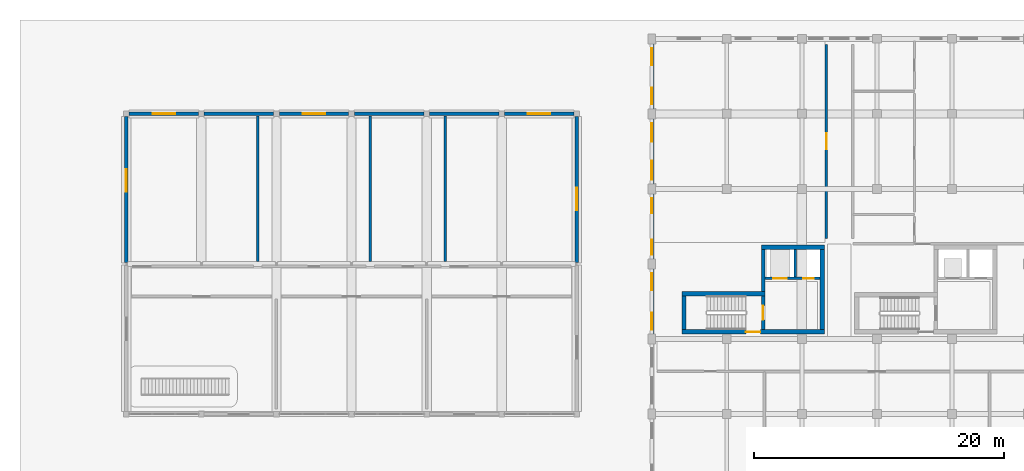
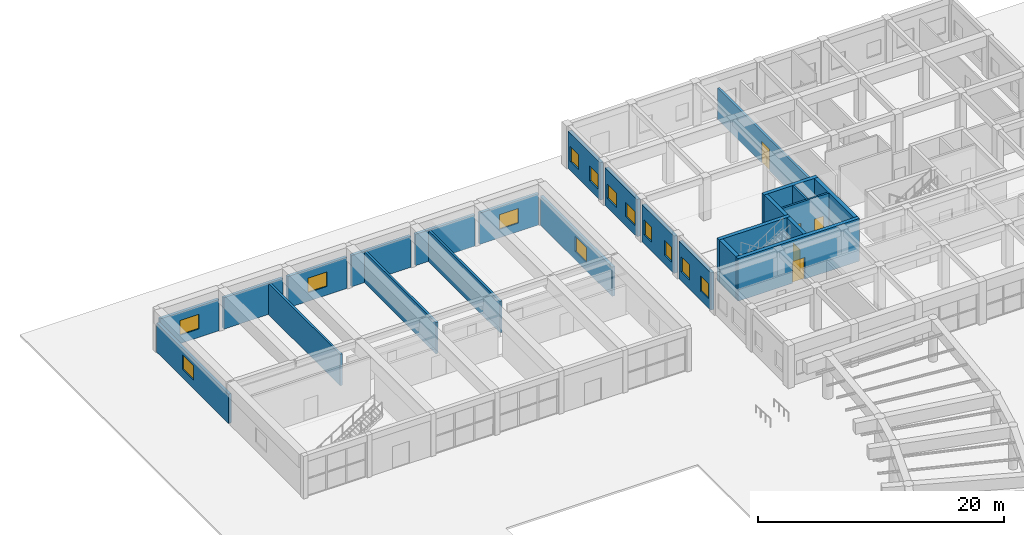
# One storey, part 55 of 76: 25 walls, 13 windows, 5 doors, 18 openings.
"""IFC4 building model written with IfcOpenShell, lengths in metres."""

from ifc_helpers import new_model, si_unit, direction, frame, frame_2d, origin, place, context, subcontext, project, spatial, rectangle, extrude, material, layer, layer_set, type_object, element, fill, save


model = new_model("IFC4")

# Units and contexts
model_context = context("Model", 3, precision=1e-05, world=origin(), true_north=direction((0.0, 1.0)))
body_context = subcontext(model_context, "Body", "Model", "MODEL_VIEW")
ifc_project = project(units=[si_unit("LENGTHUNIT", "METRE"), si_unit("AREAUNIT", "SQUARE_METRE"), si_unit("VOLUMEUNIT", "CUBIC_METRE"), si_unit("PLANEANGLEUNIT", "RADIAN"), si_unit("MASSUNIT", "GRAM", prefix="KILO"), si_unit("POWERUNIT", "WATT"), si_unit("THERMODYNAMICTEMPERATUREUNIT", "KELVIN")], contexts=[model_context])

# Site, building, storey
site_placement = place(None, origin())
site = spatial("IfcSite", under=ifc_project, at=site_placement, CompositionType="ELEMENT")
building_placement = place(site_placement, origin())
building = spatial("IfcBuilding", under=site, at=building_placement, Name="Ruvembo Vaulted Housing Court", CompositionType="ELEMENT")
storey_placement = place(building_placement, origin())
storey = spatial("IfcBuildingStorey", under=building, at=storey_placement, Name="L00", CompositionType="ELEMENT", Elevation=0.0)

# Wall, opening, door
ifc_material_1 = material(Name="Concrete C35/45", Category="concrete")
ifc_layer_1 = layer(ifc_material_1, 0.300048828125, Name="Concrete C35/45")
ifc_layer_set_1 = layer_set([ifc_layer_1], Name="Concrete C35/45")
wall_type_1 = type_object("IfcWallType", Name="WL-CORE-300", PredefinedType="SHEAR", material=ifc_layer_set_1)
wall_1_placement = place(storey_placement, frame((56.89990234375, 90.75, 0.0), z_axis=(0.0, 0.0, 1.0), x_axis=(0.0, 1.0, 0.0)))
wall_1 = element("IfcWall", 1, at=wall_1_placement, inside=storey, type_object=wall_type_1, Name="Core B1 L00 Stair-Lobby Shear Wall", PredefinedType="SHEAR", context=body_context, shape_type="SweptSolid", body=[
    extrude(rectangle(XDim=2.699951171875, YDim=0.300048828125, at=frame_2d((1.35009765625, 0.0))), origin(), (0.0, 0.0, 1.0), 4.22998046875),
])
opening_1_placement = place(wall_1_placement, frame((0.77490234375, 0.0, 0.0)))
opening_1 = element("IfcOpeningElement", 2, at=opening_1_placement, cuts=wall_1, Name="Opening SD1", PredefinedType="OPENING", context=body_context, shape_type="SweptSolid", body=[
    extrude(rectangle(XDim=1.14990234375, YDim=2.14990234375, at=frame_2d((0.574951171875, 1.074951171875))), frame((0.0, 0.159912109375, 0.0), z_axis=(0.0, -1.0, 0.0), x_axis=(1.0, 0.0, 0.0)), (0.0, 0.0, 1.0), 0.320068359375),
])
ifc_material_2 = material(Name="Galvanised Painted Steel", Category="steel")
door_type_1 = type_object("IfcDoorType", Name="DR-STAIR-1150x2150", OperationType="NOTDEFINED", PredefinedType="DOOR", material=ifc_material_2)
door_1_placement = place(opening_1_placement, origin())
door_1 = element("IfcDoor", 3, at=door_1_placement, inside=storey, type_object=door_type_1, Name="Stair ST-B1 L00 Fire Door", OperationType="SINGLE_SWING_LEFT", OverallHeight=2.14990234375, OverallWidth=1.14990234375, PredefinedType="DOOR", context=body_context, shape_type="SweptSolid", body=[
    extrude(rectangle(XDim=1.14990234375, YDim=2.14990234375, at=frame_2d((0.574951171875, 1.074951171875))), frame((0.0, 0.02490234375, 0.0), z_axis=(0.0, -1.0, 0.0), x_axis=(1.0, 0.0, 0.0)), (0.0, 0.0, 1.0), 0.050048828125),
])
fill(opening_1, door_1)

# Wall
wall_2_placement = place(storey_placement, frame((56.89990234375, 93.800048828125, 0.0), z_axis=(0.0, 0.0, 1.0), x_axis=(0.0, 1.0, 0.0)))
element("IfcWall", 4, at=wall_2_placement, inside=storey, type_object=wall_type_1, Name="Core B1 L00 Upper West Shear Wall", PredefinedType="SHEAR", context=body_context, shape_type="SweptSolid", body=[
    extrude(rectangle(XDim=3.349853515625, YDim=0.300048828125, at=frame_2d((1.6748046875, 0.0))), origin(), (0.0, 0.0, 1.0), 4.22998046875),
])

# Wall, opening, door
ifc_layer_2 = layer(ifc_material_1, 0.35009765625, Name="Concrete C35/45")
ifc_layer_set_2 = layer_set([ifc_layer_2], Name="Concrete C35/45")
wall_type_2 = type_object("IfcWallType", Name="WL-CORE-350", PredefinedType="SHEAR", material=ifc_layer_set_2)
wall_3_placement = place(storey_placement, frame((50.39990234375, 90.574951171875, 0.0), z_axis=(0.0, 0.0, 1.0), x_axis=(1.0, 0.0, 0.0)))
wall_3 = element("IfcWall", 5, at=wall_3_placement, inside=storey, type_object=wall_type_2, Name="Core B1 L00 South Shear Wall", PredefinedType="SHEAR", context=body_context, shape_type="SweptSolid", body=[
    extrude(rectangle(XDim=11.400146484375, YDim=0.35009765625, at=frame_2d((5.7001953125, 0.0))), origin(), (0.0, 0.0, 1.0), 4.22998046875),
])
opening_2_placement = place(wall_3_placement, frame((5.125, 0.0, 0.0)))
opening_2 = element("IfcOpeningElement", 6, at=opening_2_placement, cuts=wall_3, Name="Opening LD0", PredefinedType="OPENING", context=body_context, shape_type="SweptSolid", body=[
    extrude(rectangle(XDim=1.14990234375, YDim=2.14990234375, at=frame_2d((0.574951171875, 1.074951171875))), frame((0.0, 0.18505859375, 0.0), z_axis=(0.0, -1.0, 0.0), x_axis=(1.0, 0.0, 0.0)), (0.0, 0.0, 1.0), 0.3701171875),
])
door_type_2 = type_object("IfcDoorType", Name="DR-LOB-1150x2150", OperationType="NOTDEFINED", PredefinedType="DOOR", material=ifc_material_2)
door_2_placement = place(opening_2_placement, origin())
door_2 = element("IfcDoor", 7, at=door_2_placement, inside=storey, type_object=door_type_2, Name="Core B1 L00 Lobby Fire Door", OperationType="SINGLE_SWING_RIGHT", OverallHeight=2.14990234375, OverallWidth=1.14990234375, PredefinedType="DOOR", context=body_context, shape_type="SweptSolid", body=[
    extrude(rectangle(XDim=1.14990234375, YDim=2.14990234375, at=frame_2d((0.574951171875, 1.074951171875))), frame((0.0, 0.02490234375, 0.0), z_axis=(0.0, -1.0, 0.0), x_axis=(1.0, 0.0, 0.0)), (0.0, 0.0, 1.0), 0.050048828125),
])
fill(opening_2, door_2)

# Walls
wall_4_placement = place(storey_placement, frame((57.050048828125, 93.625, 0.0), z_axis=(0.0, 0.0, 1.0), x_axis=(-1.0, 0.0, 0.0)))
element("IfcWall", 8, at=wall_4_placement, inside=storey, type_object=wall_type_2, Name="Core B1 L00 Stair North Shear Wall", PredefinedType="SHEAR", context=body_context, shape_type="SweptSolid", body=[
    extrude(rectangle(XDim=6.650146484375, YDim=0.35009765625, at=frame_2d((3.3251953125, 0.0))), origin(), (0.0, 0.0, 1.0), 4.22998046875),
])
wall_5_placement = place(storey_placement, frame((50.574951171875, 93.449951171875, 0.0), z_axis=(0.0, 0.0, 1.0), x_axis=(0.0, -1.0, 0.0)))
element("IfcWall", 9, at=wall_5_placement, inside=storey, type_object=wall_type_2, Name="Core B1 L00 Stair West Shear Wall", PredefinedType="SHEAR", context=body_context, shape_type="SweptSolid", body=[
    extrude(rectangle(XDim=2.699951171875, YDim=0.35009765625, at=frame_2d((1.35009765625, 0.0))), origin(), (0.0, 0.0, 1.0), 4.22998046875),
])
wall_6_placement = place(storey_placement, frame((61.800048828125, 97.324951171875, 0.0), z_axis=(0.0, 0.0, 1.0), x_axis=(-1.0, 0.0, 0.0)))
element("IfcWall", 10, at=wall_6_placement, inside=storey, type_object=wall_type_2, Name="Core B1 L00 North Shear Wall", PredefinedType="SHEAR", context=body_context, shape_type="SweptSolid", body=[
    extrude(rectangle(XDim=5.050048828125, YDim=0.35009765625, at=frame_2d((2.52490234375, 0.0))), origin(), (0.0, 0.0, 1.0), 4.22998046875),
])
wall_7_placement = place(storey_placement, frame((61.625, 90.75, 0.0), z_axis=(0.0, 0.0, 1.0), x_axis=(0.0, 1.0, 0.0)))
element("IfcWall", 11, at=wall_7_placement, inside=storey, type_object=wall_type_2, Name="Core B1 L00 East Shear Wall", PredefinedType="SHEAR", context=body_context, shape_type="SweptSolid", body=[
    extrude(rectangle(XDim=6.39990234375, YDim=0.35009765625, at=frame_2d((3.199951171875, 0.0))), origin(), (0.0, 0.0, 1.0), 4.22998046875),
])
ifc_material_3 = material(Name="Concrete Blockwork 200", Category="masonry")
ifc_layer_3 = layer(ifc_material_3, 0.199951171875, Name="Concrete Blockwork 200")
ifc_layer_set_3 = layer_set([ifc_layer_3], Name="Concrete Blockwork 200")
wall_type_3 = type_object("IfcWallType", Name="WL-CORR-200", PredefinedType="SOLIDWALL", material=ifc_layer_set_3)
for number, where, z_axis, x_axis, name in (
    (12, (16.5, 96.18994140625, 0.0), (0.0, 0.0, 1.0), (0.0, 1.0, 0.0), "L00 Milk Kitchen & Pantry Div WL-INT-L00-00071"),
    (13, (25.5, 96.18994140625, 0.0), (0.0, 0.0, 1.0), (0.0, 1.0, 0.0), "L00 Children's Toilets and Changing Div WL-INT-L00-00073"),
    (14, (31.5, 96.18994140625, 0.0), (0.0, 0.0, 1.0), (0.0, 1.0, 0.0), "L00 Nursery Accessible WC Div WL-INT-L00-00075"),
):
    element("IfcWall", number, at=place(storey_placement, frame(where, z_axis=z_axis, x_axis=x_axis)), inside=storey, type_object=wall_type_3, Name=name, PredefinedType="SOLIDWALL", context=body_context, shape_type="SweptSolid", body=[
        extrude(rectangle(XDim=11.6201171875, YDim=0.199951171875, at=frame_2d((5.81005859375, 0.0))), origin(), (0.0, 0.0, 1.0), 3.112060546875),
    ])

# Wall, opening, door
wall_8_placement = place(storey_placement, frame((61.949951171875, 98.0400390625, 0.0), z_axis=(0.0, 0.0, 1.0), x_axis=(0.0, 1.0, 0.0)))
wall_8 = element("IfcWall", 15, at=wall_8_placement, inside=storey, type_object=wall_type_3, Name="L00 NW Vestibule WL-INT-L00-00112", PredefinedType="SOLIDWALL", context=body_context, shape_type="SweptSolid", body=[
    extrude(rectangle(XDim=15.52001953125, YDim=0.199951171875, at=frame_2d((7.760009765625, 0.0))), origin(), (0.0, 0.0, 1.0), 3.112060546875),
])
opening_3_placement = place(wall_8_placement, frame((7.110107421875, 0.0, 0.0)))
opening_3 = element("IfcOpeningElement", 16, at=opening_3_placement, cuts=wall_8, Name="Opening CD2", PredefinedType="OPENING", context=body_context, shape_type="SweptSolid", body=[
    extrude(rectangle(XDim=1.300048828125, YDim=2.14990234375, at=frame_2d((0.64990234375, 1.074951171875))), frame((0.0, 0.10986328125, 0.0), z_axis=(0.0, -1.0, 0.0), x_axis=(1.0, 0.0, 0.0)), (0.0, 0.0, 1.0), 0.219970703125),
])
ifc_material_4 = material(Name="FSC Hardwood and Engineered Timber", Category="wood")
door_type_3 = type_object("IfcDoorType", Name="DR-CIVIC-1300x2150", OperationType="NOTDEFINED", PredefinedType="DOOR", material=ifc_material_4)
door_3_placement = place(opening_3_placement, origin())
door_3 = element("IfcDoor", 17, at=door_3_placement, inside=storey, type_object=door_type_3, Name="L00 NW Vestibule Door DR-INT-L00-00049", OperationType="SINGLE_SWING_LEFT", OverallHeight=2.14990234375, OverallWidth=1.300048828125, PredefinedType="DOOR", context=body_context, shape_type="SweptSolid", body=[
    extrude(rectangle(XDim=1.300048828125, YDim=2.14990234375, at=frame_2d((0.64990234375, 1.074951171875))), frame((0.0, 0.02490234375, 0.0), z_axis=(0.0, -1.0, 0.0), x_axis=(1.0, 0.0, 0.0)), (0.0, 0.0, 1.0), 0.050048828125),
])
fill(opening_3, door_3)

# Wall, opening, window
ifc_material_5 = material(Name="Rendered Masonry 260", Category="masonry")
ifc_layer_4 = layer(ifc_material_5, 0.260009765625, Name="Rendered Masonry 260")
ifc_layer_set_4 = layer_set([ifc_layer_4], Name="Rendered Masonry 260")
wall_type_4 = type_object("IfcWallType", Name="WL-EXT-260", PredefinedType="STANDARD", material=ifc_layer_set_4)
wall_9_placement = place(storey_placement, frame((11.77490234375, 108.0, 0.0), z_axis=(0.0, 0.0, 1.0), x_axis=(-1.0, 0.0, 0.0)))
wall_9 = element("IfcWall", 18, at=wall_9_placement, inside=storey, type_object=wall_type_4, Name="Nursery North Wall L00 B1", PredefinedType="STANDARD", context=body_context, shape_type="SweptSolid", body=[
    extrude(rectangle(XDim=5.5498046875, YDim=0.260009765625, at=frame_2d((2.77490234375, 0.0))), origin(), (0.0, 0.0, 1.0), 3.112060546875),
])
opening_4_placement = place(wall_9_placement, frame((1.875, 0.0, 0.85009765625)))
opening_4 = element("IfcOpeningElement", 19, at=opening_4_placement, cuts=wall_9, Name="Opening W22", PredefinedType="OPENING", context=body_context, shape_type="SweptSolid", body=[
    extrude(rectangle(XDim=1.800048828125, YDim=1.449951171875, at=frame_2d((0.89990234375, 0.72509765625))), frame((0.0, 0.139892578125, 0.0), z_axis=(0.0, -1.0, 0.0), x_axis=(1.0, 0.0, 0.0)), (0.0, 0.0, 1.0), 0.280029296875),
])
ifc_material_6 = material(Name="Double Solar-Control Glazing in Aluminium Frame", Category="aluminium")
window_type_1 = type_object("IfcWindowType", Name="WIN-1800x1450", PartitioningType="SINGLE_PANEL", PredefinedType="WINDOW", material=ifc_material_6)
window_1_placement = place(opening_4_placement, origin())
window_1 = element("IfcWindow", 20, at=window_1_placement, inside=storey, type_object=window_type_1, Name="Nursery North Window L00 B1", OverallHeight=1.449951171875, OverallWidth=1.800048828125, PartitioningType="SINGLE_PANEL", PredefinedType="WINDOW", context=body_context, shape_type="SweptSolid", body=[
    extrude(rectangle(XDim=1.800048828125, YDim=1.449951171875, at=frame_2d((0.89990234375, 0.72509765625))), frame((0.0, 0.030029296875, 0.0), z_axis=(0.0, -1.0, 0.0), x_axis=(1.0, 0.0, 0.0)), (0.0, 0.0, 1.0), 0.06005859375),
])
fill(opening_4, window_1)

# Wall
wall_10_placement = place(storey_placement, frame((17.77490234375, 108.0, 0.0), z_axis=(0.0, 0.0, 1.0), x_axis=(-1.0, 0.0, 0.0)))
element("IfcWall", 21, at=wall_10_placement, inside=storey, type_object=wall_type_4, Name="Nursery North Wall L00 B2", PredefinedType="STANDARD", context=body_context, shape_type="SweptSolid", body=[
    extrude(rectangle(XDim=5.5498046875, YDim=0.260009765625, at=frame_2d((2.77490234375, 0.0))), origin(), (0.0, 0.0, 1.0), 3.112060546875),
])

# Wall, opening, window
wall_11_placement = place(storey_placement, frame((23.77490234375, 108.0, 0.0), z_axis=(0.0, 0.0, 1.0), x_axis=(-1.0, 0.0, 0.0)))
wall_11 = element("IfcWall", 22, at=wall_11_placement, inside=storey, type_object=wall_type_4, Name="Nursery North Wall L00 B3", PredefinedType="STANDARD", context=body_context, shape_type="SweptSolid", body=[
    extrude(rectangle(XDim=5.5498046875, YDim=0.260009765625, at=frame_2d((2.77490234375, 0.0))), origin(), (0.0, 0.0, 1.0), 3.112060546875),
])
opening_5_placement = place(wall_11_placement, frame((1.875, 0.0, 0.85009765625)))
opening_5 = element("IfcOpeningElement", 23, at=opening_5_placement, cuts=wall_11, Name="Opening W22", PredefinedType="OPENING", context=body_context, shape_type="SweptSolid", body=[
    extrude(rectangle(XDim=1.800048828125, YDim=1.449951171875, at=frame_2d((0.89990234375, 0.72509765625))), frame((0.0, 0.139892578125, 0.0), z_axis=(0.0, -1.0, 0.0), x_axis=(1.0, 0.0, 0.0)), (0.0, 0.0, 1.0), 0.280029296875),
])
window_2_placement = place(opening_5_placement, origin())
window_2 = element("IfcWindow", 24, at=window_2_placement, inside=storey, type_object=window_type_1, Name="Nursery North Window L00 B3", OverallHeight=1.449951171875, OverallWidth=1.800048828125, PartitioningType="SINGLE_PANEL", PredefinedType="WINDOW", context=body_context, shape_type="SweptSolid", body=[
    extrude(rectangle(XDim=1.800048828125, YDim=1.449951171875, at=frame_2d((0.89990234375, 0.72509765625))), frame((0.0, 0.030029296875, 0.0), z_axis=(0.0, -1.0, 0.0), x_axis=(1.0, 0.0, 0.0)), (0.0, 0.0, 1.0), 0.06005859375),
])
fill(opening_5, window_2)

# Walls
for number, where, z_axis, x_axis, name in (
    (25, (29.77490234375, 108.0, 0.0), (0.0, 0.0, 1.0), (-1.0, 0.0, 0.0), "Nursery North Wall L00 B4"),
    (26, (35.77490234375, 108.0, 0.0), (0.0, 0.0, 1.0), (-1.0, 0.0, 0.0), "Nursery North Wall L00 B5"),
):
    element("IfcWall", number, at=place(storey_placement, frame(where, z_axis=z_axis, x_axis=x_axis)), inside=storey, type_object=wall_type_4, Name=name, PredefinedType="STANDARD", context=body_context, shape_type="SweptSolid", body=[
        extrude(rectangle(XDim=5.5498046875, YDim=0.260009765625, at=frame_2d((2.77490234375, 0.0))), origin(), (0.0, 0.0, 1.0), 3.112060546875),
    ])

# Wall, opening, window
wall_12_placement = place(storey_placement, frame((41.77490234375, 108.0, 0.0), z_axis=(0.0, 0.0, 1.0), x_axis=(-1.0, 0.0, 0.0)))
wall_12 = element("IfcWall", 27, at=wall_12_placement, inside=storey, type_object=wall_type_4, Name="Nursery North Wall L00 B6", PredefinedType="STANDARD", context=body_context, shape_type="SweptSolid", body=[
    extrude(rectangle(XDim=5.5498046875, YDim=0.260009765625, at=frame_2d((2.77490234375, 0.0))), origin(), (0.0, 0.0, 1.0), 3.112060546875),
])
opening_6_placement = place(wall_12_placement, frame((1.875, 0.0, 0.85009765625)))
opening_6 = element("IfcOpeningElement", 28, at=opening_6_placement, cuts=wall_12, Name="Opening W22", PredefinedType="OPENING", context=body_context, shape_type="SweptSolid", body=[
    extrude(rectangle(XDim=1.800048828125, YDim=1.449951171875, at=frame_2d((0.89990234375, 0.72509765625))), frame((0.0, 0.139892578125, 0.0), z_axis=(0.0, -1.0, 0.0), x_axis=(1.0, 0.0, 0.0)), (0.0, 0.0, 1.0), 0.280029296875),
])
window_3_placement = place(opening_6_placement, origin())
window_3 = element("IfcWindow", 29, at=window_3_placement, inside=storey, type_object=window_type_1, Name="Nursery North Window L00 B6", OverallHeight=1.449951171875, OverallWidth=1.800048828125, PartitioningType="SINGLE_PANEL", PredefinedType="WINDOW", context=body_context, shape_type="SweptSolid", body=[
    extrude(rectangle(XDim=1.800048828125, YDim=1.449951171875, at=frame_2d((0.89990234375, 0.72509765625))), frame((0.0, 0.030029296875, 0.0), z_axis=(0.0, -1.0, 0.0), x_axis=(1.0, 0.0, 0.0)), (0.0, 0.0, 1.0), 0.06005859375),
])
fill(opening_6, window_3)

wall_13_placement = place(storey_placement, frame((6.0, 107.77490234375, 0.0), z_axis=(0.0, 0.0, 1.0), x_axis=(0.0, -1.0, 0.0)))
wall_13 = element("IfcWall", 30, at=wall_13_placement, inside=storey, type_object=wall_type_4, Name="Nursery W Wall L00 #2", PredefinedType="STANDARD", context=body_context, shape_type="SweptSolid", body=[
    extrude(rectangle(XDim=11.6748046875, YDim=0.260009765625, at=frame_2d((5.83740234375, 0.0))), origin(), (0.0, 0.0, 1.0), 2.912109375),
])
opening_7_placement = place(wall_13_placement, frame((4.199951171875, 0.0, 0.85009765625)))
opening_7 = element("IfcOpeningElement", 31, at=opening_7_placement, cuts=wall_13, Name="Opening W22", PredefinedType="OPENING", context=body_context, shape_type="SweptSolid", body=[
    extrude(rectangle(XDim=1.800048828125, YDim=1.449951171875, at=frame_2d((0.89990234375, 0.72509765625))), frame((0.0, 0.139892578125, 0.0), z_axis=(0.0, -1.0, 0.0), x_axis=(1.0, 0.0, 0.0)), (0.0, 0.0, 1.0), 0.280029296875),
])
window_4_placement = place(opening_7_placement, origin())
window_4 = element("IfcWindow", 32, at=window_4_placement, inside=storey, type_object=window_type_1, Name="Nursery W Window L00 #2", OverallHeight=1.449951171875, OverallWidth=1.800048828125, PartitioningType="SINGLE_PANEL", PredefinedType="WINDOW", context=body_context, shape_type="SweptSolid", body=[
    extrude(rectangle(XDim=1.800048828125, YDim=1.449951171875, at=frame_2d((0.89990234375, 0.72509765625))), frame((0.0, 0.030029296875, 0.0), z_axis=(0.0, -1.0, 0.0), x_axis=(1.0, 0.0, 0.0)), (0.0, 0.0, 1.0), 0.06005859375),
])
fill(opening_7, window_4)

wall_14_placement = place(storey_placement, frame((42.0, 96.10009765625, 0.0), z_axis=(0.0, 0.0, 1.0), x_axis=(0.0, 1.0, 0.0)))
wall_14 = element("IfcWall", 33, at=wall_14_placement, inside=storey, type_object=wall_type_4, Name="Nursery E Wall L00 #2", PredefinedType="STANDARD", context=body_context, shape_type="SweptSolid", body=[
    extrude(rectangle(XDim=11.6748046875, YDim=0.260009765625, at=frame_2d((5.83740234375, 0.0))), origin(), (0.0, 0.0, 1.0), 2.912109375),
])
opening_8_placement = place(wall_14_placement, frame((4.199951171875, 0.0, 0.85009765625)))
opening_8 = element("IfcOpeningElement", 34, at=opening_8_placement, cuts=wall_14, Name="Opening W22", PredefinedType="OPENING", context=body_context, shape_type="SweptSolid", body=[
    extrude(rectangle(XDim=1.800048828125, YDim=1.449951171875, at=frame_2d((0.89990234375, 0.72509765625))), frame((0.0, 0.139892578125, 0.0), z_axis=(0.0, -1.0, 0.0), x_axis=(1.0, 0.0, 0.0)), (0.0, 0.0, 1.0), 0.280029296875),
])
window_5_placement = place(opening_8_placement, origin())
window_5 = element("IfcWindow", 35, at=window_5_placement, inside=storey, type_object=window_type_1, Name="Nursery E Window L00 #2", OverallHeight=1.449951171875, OverallWidth=1.800048828125, PartitioningType="SINGLE_PANEL", PredefinedType="WINDOW", context=body_context, shape_type="SweptSolid", body=[
    extrude(rectangle(XDim=1.800048828125, YDim=1.449951171875, at=frame_2d((0.89990234375, 0.72509765625))), frame((0.0, 0.030029296875, 0.0), z_axis=(0.0, -1.0, 0.0), x_axis=(1.0, 0.0, 0.0)), (0.0, 0.0, 1.0), 0.06005859375),
])
fill(opening_8, window_5)

# Wall, openings, windows
ifc_material_7 = material(Name="Rendered Masonry 320", Category="masonry")
ifc_layer_5 = layer(ifc_material_7, 0.320068359375, Name="Rendered Masonry 320")
ifc_layer_set_5 = layer_set([ifc_layer_5], Name="Rendered Masonry 320")
wall_type_5 = type_object("IfcWallType", Name="WL-EXT-320", PredefinedType="STANDARD", material=ifc_layer_set_5)
wall_15_placement = place(storey_placement, frame((48.0, 113.60009765625, 0.0), z_axis=(0.0, 0.0, 1.0), x_axis=(0.0, -1.0, 0.0)))
wall_15 = element("IfcWall", 36, at=wall_15_placement, inside=storey, type_object=wall_type_5, Name="Block B L00 Exterior Wall WEST #1", PredefinedType="STANDARD", context=body_context, shape_type="SweptSolid", body=[
    extrude(rectangle(XDim=5.2001953125, YDim=0.320068359375, at=frame_2d((2.60009765625, 0.0))), origin(), (0.0, 0.0, 1.0), 3.7119140625),
])
opening_9_placement = place(wall_15_placement, frame((0.35009765625, 0.0, 0.89990234375)))
opening_9 = element("IfcOpeningElement", 37, at=opening_9_placement, cuts=wall_15, Name="Opening W16", PredefinedType="OPENING", context=body_context, shape_type="SweptSolid", body=[
    extrude(rectangle(XDim=1.35009765625, YDim=1.5, at=frame_2d((0.675048828125, 0.75))), frame((0.0, 0.169921875, 0.0), z_axis=(0.0, -1.0, 0.0), x_axis=(1.0, 0.0, 0.0)), (0.0, 0.0, 1.0), 0.340087890625),
])
opening_10_placement = place(wall_15_placement, frame((3.5, 0.0, 0.89990234375)))
opening_10 = element("IfcOpeningElement", 38, at=opening_10_placement, cuts=wall_15, Name="Opening W16", PredefinedType="OPENING", context=body_context, shape_type="SweptSolid", body=[
    extrude(rectangle(XDim=1.35009765625, YDim=1.5, at=frame_2d((0.675048828125, 0.75))), frame((0.0, 0.169921875, 0.0), z_axis=(0.0, -1.0, 0.0), x_axis=(1.0, 0.0, 0.0)), (0.0, 0.0, 1.0), 0.340087890625),
])
window_type_2 = type_object("IfcWindowType", Name="WIN-1350x1500", PartitioningType="SINGLE_PANEL", PredefinedType="WINDOW", material=ifc_material_6)
window_6_placement = place(opening_9_placement, origin())
window_6 = element("IfcWindow", 39, at=window_6_placement, inside=storey, type_object=window_type_2, Name="Block B L00 Window #632", OverallHeight=1.5, OverallWidth=1.35009765625, PartitioningType="SINGLE_PANEL", PredefinedType="WINDOW", context=body_context, shape_type="SweptSolid", body=[
    extrude(rectangle(XDim=1.35009765625, YDim=1.5, at=frame_2d((0.675048828125, 0.75))), frame((0.0, 0.030029296875, 0.0), z_axis=(0.0, -1.0, 0.0), x_axis=(1.0, 0.0, 0.0)), (0.0, 0.0, 1.0), 0.06005859375),
])
fill(opening_9, window_6)
window_7_placement = place(opening_10_placement, origin())
window_7 = element("IfcWindow", 40, at=window_7_placement, inside=storey, type_object=window_type_2, Name="Block B L00 Window #633", OverallHeight=1.5, OverallWidth=1.35009765625, PartitioningType="SINGLE_PANEL", PredefinedType="WINDOW", context=body_context, shape_type="SweptSolid", body=[
    extrude(rectangle(XDim=1.35009765625, YDim=1.5, at=frame_2d((0.675048828125, 0.75))), frame((0.0, 0.030029296875, 0.0), z_axis=(0.0, -1.0, 0.0), x_axis=(1.0, 0.0, 0.0)), (0.0, 0.0, 1.0), 0.06005859375),
])
fill(opening_10, window_7)

wall_16_placement = place(storey_placement, frame((48.0, 107.60009765625, 0.0), z_axis=(0.0, 0.0, 1.0), x_axis=(0.0, -1.0, 0.0)))
wall_16 = element("IfcWall", 41, at=wall_16_placement, inside=storey, type_object=wall_type_5, Name="Block B L00 Exterior Wall WEST #2", PredefinedType="STANDARD", context=body_context, shape_type="SweptSolid", body=[
    extrude(rectangle(XDim=5.2001953125, YDim=0.320068359375, at=frame_2d((2.60009765625, 0.0))), origin(), (0.0, 0.0, 1.0), 3.7119140625),
])
opening_11_placement = place(wall_16_placement, frame((0.35009765625, 0.0, 0.89990234375)))
opening_11 = element("IfcOpeningElement", 42, at=opening_11_placement, cuts=wall_16, Name="Opening W18", PredefinedType="OPENING", context=body_context, shape_type="SweptSolid", body=[
    extrude(rectangle(XDim=1.5, YDim=1.39990234375, at=frame_2d((0.75, 0.699951171875))), frame((0.0, 0.169921875, 0.0), z_axis=(0.0, -1.0, 0.0), x_axis=(1.0, 0.0, 0.0)), (0.0, 0.0, 1.0), 0.340087890625),
])
opening_12_placement = place(wall_16_placement, frame((3.35009765625, 0.0, 0.89990234375)))
opening_12 = element("IfcOpeningElement", 43, at=opening_12_placement, cuts=wall_16, Name="Opening W18", PredefinedType="OPENING", context=body_context, shape_type="SweptSolid", body=[
    extrude(rectangle(XDim=1.5, YDim=1.39990234375, at=frame_2d((0.75, 0.699951171875))), frame((0.0, 0.169921875, 0.0), z_axis=(0.0, -1.0, 0.0), x_axis=(1.0, 0.0, 0.0)), (0.0, 0.0, 1.0), 0.340087890625),
])
window_type_3 = type_object("IfcWindowType", Name="WIN-1500x1400", PartitioningType="SINGLE_PANEL", PredefinedType="WINDOW", material=ifc_material_6)
window_8_placement = place(opening_11_placement, origin())
window_8 = element("IfcWindow", 44, at=window_8_placement, inside=storey, type_object=window_type_3, Name="Block B L00 Window #634", OverallHeight=1.39990234375, OverallWidth=1.5, PartitioningType="SINGLE_PANEL", PredefinedType="WINDOW", context=body_context, shape_type="SweptSolid", body=[
    extrude(rectangle(XDim=1.5, YDim=1.39990234375, at=frame_2d((0.75, 0.699951171875))), frame((0.0, 0.030029296875, 0.0), z_axis=(0.0, -1.0, 0.0), x_axis=(1.0, 0.0, 0.0)), (0.0, 0.0, 1.0), 0.06005859375),
])
fill(opening_11, window_8)
window_9_placement = place(opening_12_placement, origin())
window_9 = element("IfcWindow", 45, at=window_9_placement, inside=storey, type_object=window_type_3, Name="Block B L00 Window #635", OverallHeight=1.39990234375, OverallWidth=1.5, PartitioningType="SINGLE_PANEL", PredefinedType="WINDOW", context=body_context, shape_type="SweptSolid", body=[
    extrude(rectangle(XDim=1.5, YDim=1.39990234375, at=frame_2d((0.75, 0.699951171875))), frame((0.0, 0.030029296875, 0.0), z_axis=(0.0, -1.0, 0.0), x_axis=(1.0, 0.0, 0.0)), (0.0, 0.0, 1.0), 0.06005859375),
])
fill(opening_12, window_9)

wall_17_placement = place(storey_placement, frame((48.0, 101.60009765625, 0.0), z_axis=(0.0, 0.0, 1.0), x_axis=(0.0, -1.0, 0.0)))
wall_17 = element("IfcWall", 46, at=wall_17_placement, inside=storey, type_object=wall_type_5, Name="Block B L00 Exterior Wall WEST #3", PredefinedType="STANDARD", context=body_context, shape_type="SweptSolid", body=[
    extrude(rectangle(XDim=5.2001953125, YDim=0.320068359375, at=frame_2d((2.60009765625, 0.0))), origin(), (0.0, 0.0, 1.0), 3.7119140625),
])
opening_13_placement = place(wall_17_placement, frame((0.35009765625, 0.0, 0.89990234375)))
opening_13 = element("IfcOpeningElement", 47, at=opening_13_placement, cuts=wall_17, Name="Opening W14", PredefinedType="OPENING", context=body_context, shape_type="SweptSolid", body=[
    extrude(rectangle(XDim=1.199951171875, YDim=1.5, at=frame_2d((0.60009765625, 0.75))), frame((0.0, 0.169921875, 0.0), z_axis=(0.0, -1.0, 0.0), x_axis=(1.0, 0.0, 0.0)), (0.0, 0.0, 1.0), 0.340087890625),
])
opening_14_placement = place(wall_17_placement, frame((3.64990234375, 0.0, 0.89990234375)))
opening_14 = element("IfcOpeningElement", 48, at=opening_14_placement, cuts=wall_17, Name="Opening W14", PredefinedType="OPENING", context=body_context, shape_type="SweptSolid", body=[
    extrude(rectangle(XDim=1.199951171875, YDim=1.5, at=frame_2d((0.60009765625, 0.75))), frame((0.0, 0.169921875, 0.0), z_axis=(0.0, -1.0, 0.0), x_axis=(1.0, 0.0, 0.0)), (0.0, 0.0, 1.0), 0.340087890625),
])
window_type_4 = type_object("IfcWindowType", Name="WIN-1200x1500", PartitioningType="SINGLE_PANEL", PredefinedType="WINDOW", material=ifc_material_6)
window_10_placement = place(opening_13_placement, origin())
window_10 = element("IfcWindow", 49, at=window_10_placement, inside=storey, type_object=window_type_4, Name="Block B L00 Window #636", OverallHeight=1.5, OverallWidth=1.199951171875, PartitioningType="SINGLE_PANEL", PredefinedType="WINDOW", context=body_context, shape_type="SweptSolid", body=[
    extrude(rectangle(XDim=1.199951171875, YDim=1.5, at=frame_2d((0.60009765625, 0.75))), frame((0.0, 0.030029296875, 0.0), z_axis=(0.0, -1.0, 0.0), x_axis=(1.0, 0.0, 0.0)), (0.0, 0.0, 1.0), 0.06005859375),
])
fill(opening_13, window_10)
window_11_placement = place(opening_14_placement, origin())
window_11 = element("IfcWindow", 50, at=window_11_placement, inside=storey, type_object=window_type_4, Name="Block B L00 Window #637", OverallHeight=1.5, OverallWidth=1.199951171875, PartitioningType="SINGLE_PANEL", PredefinedType="WINDOW", context=body_context, shape_type="SweptSolid", body=[
    extrude(rectangle(XDim=1.199951171875, YDim=1.5, at=frame_2d((0.60009765625, 0.75))), frame((0.0, 0.030029296875, 0.0), z_axis=(0.0, -1.0, 0.0), x_axis=(1.0, 0.0, 0.0)), (0.0, 0.0, 1.0), 0.06005859375),
])
fill(opening_14, window_11)

wall_18_placement = place(storey_placement, frame((48.0, 95.60009765625, 0.0), z_axis=(0.0, 0.0, 1.0), x_axis=(0.0, -1.0, 0.0)))
wall_18 = element("IfcWall", 51, at=wall_18_placement, inside=storey, type_object=wall_type_5, Name="Block B L00 Exterior Wall WEST #4", PredefinedType="STANDARD", context=body_context, shape_type="SweptSolid", body=[
    extrude(rectangle(XDim=5.2001953125, YDim=0.320068359375, at=frame_2d((2.60009765625, 0.0))), origin(), (0.0, 0.0, 1.0), 3.7119140625),
])
opening_15_placement = place(wall_18_placement, frame((0.35009765625, 0.0, 0.89990234375)))
opening_15 = element("IfcOpeningElement", 52, at=opening_15_placement, cuts=wall_18, Name="Opening W16", PredefinedType="OPENING", context=body_context, shape_type="SweptSolid", body=[
    extrude(rectangle(XDim=1.35009765625, YDim=1.5, at=frame_2d((0.675048828125, 0.75))), frame((0.0, 0.169921875, 0.0), z_axis=(0.0, -1.0, 0.0), x_axis=(1.0, 0.0, 0.0)), (0.0, 0.0, 1.0), 0.340087890625),
])
opening_16_placement = place(wall_18_placement, frame((3.5, 0.0, 0.89990234375)))
opening_16 = element("IfcOpeningElement", 53, at=opening_16_placement, cuts=wall_18, Name="Opening W16", PredefinedType="OPENING", context=body_context, shape_type="SweptSolid", body=[
    extrude(rectangle(XDim=1.35009765625, YDim=1.5, at=frame_2d((0.675048828125, 0.75))), frame((0.0, 0.169921875, 0.0), z_axis=(0.0, -1.0, 0.0), x_axis=(1.0, 0.0, 0.0)), (0.0, 0.0, 1.0), 0.340087890625),
])
window_12_placement = place(opening_15_placement, origin())
window_12 = element("IfcWindow", 54, at=window_12_placement, inside=storey, type_object=window_type_2, Name="Block B L00 Window #638", OverallHeight=1.5, OverallWidth=1.35009765625, PartitioningType="SINGLE_PANEL", PredefinedType="WINDOW", context=body_context, shape_type="SweptSolid", body=[
    extrude(rectangle(XDim=1.35009765625, YDim=1.5, at=frame_2d((0.675048828125, 0.75))), frame((0.0, 0.030029296875, 0.0), z_axis=(0.0, -1.0, 0.0), x_axis=(1.0, 0.0, 0.0)), (0.0, 0.0, 1.0), 0.06005859375),
])
fill(opening_15, window_12)
window_13_placement = place(opening_16_placement, origin())
window_13 = element("IfcWindow", 55, at=window_13_placement, inside=storey, type_object=window_type_2, Name="Block B L00 Window #639", OverallHeight=1.5, OverallWidth=1.35009765625, PartitioningType="SINGLE_PANEL", PredefinedType="WINDOW", context=body_context, shape_type="SweptSolid", body=[
    extrude(rectangle(XDim=1.35009765625, YDim=1.5, at=frame_2d((0.675048828125, 0.75))), frame((0.0, 0.030029296875, 0.0), z_axis=(0.0, -1.0, 0.0), x_axis=(1.0, 0.0, 0.0)), (0.0, 0.0, 1.0), 0.06005859375),
])
fill(opening_16, window_13)

# Wall, openings, doors
ifc_material_8 = material(Name="Fire-Rated Masonry Shaft 180", Category="masonry")
ifc_layer_6 = layer(ifc_material_8, 0.179931640625, Name="Fire-Rated Masonry Shaft 180")
ifc_layer_set_6 = layer_set([ifc_layer_6], Name="Fire-Rated Masonry Shaft 180")
wall_type_6 = type_object("IfcWallType", Name="WL-SHAFT-180", PredefinedType="SOLIDWALL", material=ifc_layer_set_6)
wall_19_placement = place(storey_placement, frame((57.050048828125, 94.85009765625, 0.0), z_axis=(0.0, 0.0, 1.0), x_axis=(1.0, 0.0, 0.0)))
wall_19 = element("IfcWall", 56, at=wall_19_placement, inside=storey, type_object=wall_type_6, Name="Core B1 L00 Lift and Riser Front Wall", PredefinedType="SOLIDWALL", context=body_context, shape_type="SweptSolid", body=[
    extrude(rectangle(XDim=4.39990234375, YDim=0.179931640625, at=frame_2d((2.199951171875, 0.0))), origin(), (0.0, 0.0, 1.0), 4.22998046875),
])
opening_17_placement = place(wall_19_placement, frame((0.64990234375, 0.0, 0.0)))
opening_17 = element("IfcOpeningElement", 57, at=opening_17_placement, cuts=wall_19, Name="Opening LD-LP-B1-L00", PredefinedType="OPENING", context=body_context, shape_type="SweptSolid", body=[
    extrude(rectangle(XDim=1.10009765625, YDim=2.14990234375, at=frame_2d((0.550048828125, 1.074951171875))), frame((0.0, 0.099853515625, 0.0), z_axis=(0.0, -1.0, 0.0), x_axis=(1.0, 0.0, 0.0)), (0.0, 0.0, 1.0), 0.199951171875),
])
opening_18_placement = place(wall_19_placement, frame((3.050048828125, 0.0, 0.0)))
opening_18 = element("IfcOpeningElement", 58, at=opening_18_placement, cuts=wall_19, Name="Opening RD1", PredefinedType="OPENING", context=body_context, shape_type="SweptSolid", body=[
    extrude(rectangle(XDim=0.85009765625, YDim=2.10009765625, at=frame_2d((0.425048828125, 1.050048828125))), frame((0.0, 0.099853515625, 0.0), z_axis=(0.0, -1.0, 0.0), x_axis=(1.0, 0.0, 0.0)), (0.0, 0.0, 1.0), 0.199951171875),
])
ifc_material_9 = material(Name="Brushed Stainless Steel 304", Category="steel")
door_type_4 = type_object("IfcDoorType", Name="DR-LIFT-1100x2150", OperationType="NOTDEFINED", PredefinedType="DOOR", material=ifc_material_9)
door_4_placement = place(opening_17_placement, origin())
door_4 = element("IfcDoor", 59, at=door_4_placement, inside=storey, type_object=door_type_4, Name="Lift LP-B1 L00 Sliding Landing Door", OperationType="SLIDING_TO_LEFT", OverallHeight=2.14990234375, OverallWidth=1.10009765625, PredefinedType="DOOR", context=body_context, shape_type="SweptSolid", body=[
    extrude(rectangle(XDim=1.10009765625, YDim=2.14990234375, at=frame_2d((0.550048828125, 1.074951171875))), frame((0.0, 0.02490234375, 0.0), z_axis=(0.0, -1.0, 0.0), x_axis=(1.0, 0.0, 0.0)), (0.0, 0.0, 1.0), 0.050048828125),
])
fill(opening_17, door_4)
door_type_5 = type_object("IfcDoorType", Name="DR-RISER-0850x2100", OperationType="NOTDEFINED", PredefinedType="DOOR", material=ifc_material_2)
door_5_placement = place(opening_18_placement, frame((0.85009765625, 0.0, 0.0), z_axis=(0.0, 0.0, 1.0), x_axis=(-1.0, 0.0, 0.0)))
door_5 = element("IfcDoor", 60, at=door_5_placement, inside=storey, type_object=door_type_5, Name="Core B1 L00 Service Riser Door", OperationType="SINGLE_SWING_RIGHT", OverallHeight=2.10009765625, OverallWidth=0.85009765625, PredefinedType="DOOR", context=body_context, shape_type="SweptSolid", body=[
    extrude(rectangle(XDim=0.85009765625, YDim=2.10009765625, at=frame_2d((0.425048828125, 1.050048828125))), frame((0.0, 0.02490234375, 0.0), z_axis=(0.0, -1.0, 0.0), x_axis=(1.0, 0.0, 0.0)), (0.0, 0.0, 1.0), 0.050048828125),
])
fill(opening_18, door_5)

# Wall
wall_20_placement = place(storey_placement, frame((59.469970703125, 94.93994140625, 0.0), z_axis=(0.0, 0.0, 1.0), x_axis=(0.0, 1.0, 0.0)))
element("IfcWall", 61, at=wall_20_placement, inside=storey, type_object=wall_type_6, Name="Core B1 L00 Shaft-Riser Divider Wall", PredefinedType="SOLIDWALL", context=body_context, shape_type="SweptSolid", body=[
    extrude(rectangle(XDim=2.2099609375, YDim=0.179931640625, at=frame_2d((1.10498046875, 0.0))), origin(), (0.0, 0.0, 1.0), 4.22998046875),
])

save(model, "model.ifc")
